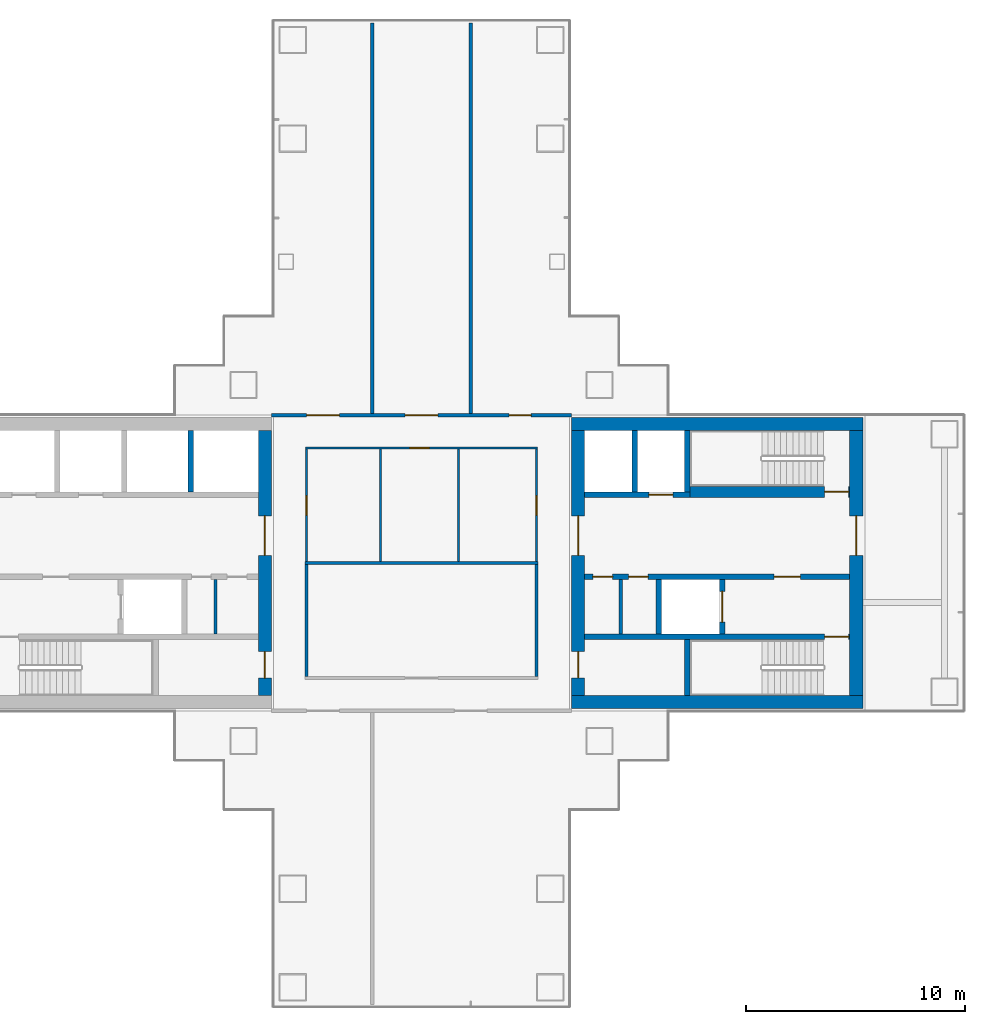
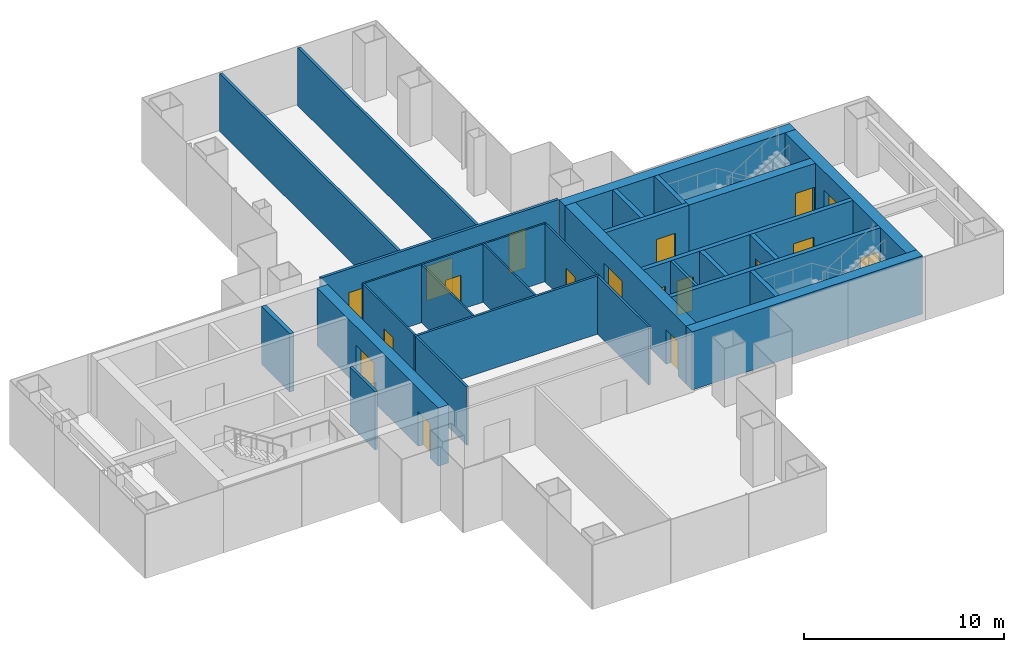
# One storey, part 14 of 18: 28 walls, 18 doors, 18 openings.
"""IFC4 building model written with IfcOpenShell, lengths in metres."""

import ifcopenshell
import ifcopenshell.guid

model = None  # the IFC model being written
_history = None  # IfcOwnerHistory: only IFC2X3 demands one
_inside = {}  # id of a spatial element -> (the spatial element, [elements in it])
_under = {}  # id of a project, library or spatial element -> (it, [spatial elements below it])
_declared = {}  # id of a project -> (the project, [libraries it declares])
_typed = {}  # id of a type object -> (the type object, [elements of that type])
_made_of = {}  # id of a material, layer set ... -> (it, [elements and type objects made of it])


def new_model(schema):
    """Start an empty IFC model of exactly this schema.

    Asked for "IFC4X3", IfcOpenShell would pick the latest addendum, in which some entities
    have other attributes; the version numbers below select the first issue.
    IFC2X3 requires an IfcOwnerHistory on every rooted entity: one is made here for all.
    """
    global model, _history
    if schema == "IFC4X3":
        model = ifcopenshell.file(schema_version=(4, 3, 0, 0))
    else:
        model = ifcopenshell.file(schema=schema)
    _inside.clear()
    _under.clear()
    _declared.clear()
    _typed.clear()
    _made_of.clear()
    _history = None
    if model.schema == "IFC2X3":
        org = make("IfcOrganization", Name="unknown")
        user = make(
            "IfcPersonAndOrganization",
            ThePerson=make("IfcPerson", FamilyName="unknown"),
            TheOrganization=org,
        )
        app = make(
            "IfcApplication",
            ApplicationDeveloper=org,
            Version="unknown",
            ApplicationFullName="unknown",
            ApplicationIdentifier="unknown",
        )
        _history = make(
            "IfcOwnerHistory",
            OwningUser=user,
            OwningApplication=app,
            ChangeAction="ADDED",
            CreationDate=0,
        )
    return model


def make(cls, **values):
    """One entity of the class cls with the attributes given. An attribute that is None is left unset."""
    return model.create_entity(
        cls, **{name: value for name, value in values.items() if value is not None}
    )


def rooted(cls, **values):
    """An entity with a GlobalId (a new one), such as an element, a storey or a relation."""
    return make(cls, GlobalId=ifcopenshell.guid.new(), OwnerHistory=_history, **values)


def si_unit(unit_type, name, prefix=None):
    """IfcSIUnit, for example si_unit("LENGTHUNIT", "METRE", prefix="MILLI")."""
    return make("IfcSIUnit", UnitType=unit_type, Prefix=prefix, Name=name)


def assignment(units):
    """IfcUnitAssignment: the units of a project."""
    return None if units is None else make("IfcUnitAssignment", Units=units)


def point(xyz):
    """IfcCartesianPoint."""
    return None if xyz is None else make("IfcCartesianPoint", Coordinates=xyz)


def direction(xyz):
    """IfcDirection."""
    return None if xyz is None else make("IfcDirection", DirectionRatios=xyz)


def frame(location, z_axis=None, x_axis=None):
    """IfcAxis2Placement3D, a coordinate frame: its origin and axes. An axis left out is left unset."""
    return make(
        "IfcAxis2Placement3D",
        Location=point(location),
        Axis=direction(z_axis),
        RefDirection=direction(x_axis),
    )


def frame_2d(location, x_axis=None):
    """IfcAxis2Placement2D, a coordinate frame in the plane: its origin and x axis."""
    return make(
        "IfcAxis2Placement2D", Location=point(location), RefDirection=direction(x_axis)
    )


def origin():
    """The frame at (0, 0, 0) with its axes left unset."""
    return frame((0.0, 0.0, 0.0))


def place(relative_to, where):
    """IfcLocalPlacement: puts the frame where relative to a parent placement (None: the world)."""
    return make(
        "IfcLocalPlacement", PlacementRelTo=relative_to, RelativePlacement=where
    )


def context(
    kind, dimensions, precision=None, world=None, true_north=None, identifier=None
):
    """IfcGeometricRepresentationContext, for example the 3D "Model" context."""
    return make(
        "IfcGeometricRepresentationContext",
        ContextIdentifier=identifier,
        ContextType=kind,
        CoordinateSpaceDimension=dimensions,
        Precision=precision,
        WorldCoordinateSystem=world,
        TrueNorth=true_north,
    )


def subcontext(parent, identifier, kind, view, scale=None):
    """IfcGeometricRepresentationSubContext, for example "Body" below "Model"."""
    return make(
        "IfcGeometricRepresentationSubContext",
        ContextIdentifier=identifier,
        ContextType=kind,
        ParentContext=parent,
        TargetScale=scale,
        TargetView=view,
    )


def project(units=None, contexts=None):
    """IfcProject with its units and contexts."""
    return rooted(
        "IfcProject",
        Name="project",
        RepresentationContexts=contexts,
        UnitsInContext=assignment(units),
    )


def spatial(cls, under=None, at=None, **own):
    """A site, building, storey or space (cls), placed at a placement, below another one or the project."""
    s = rooted(cls, ObjectPlacement=at, **own)
    if under is not None:
        _under.setdefault(under.id(), (under, []))[1].append(s)
    return s


def profile(cls, at=None, kind="AREA", **sizes):
    """A parametric profile (cls). Its sizes go by their IFC names, for example OverallWidth=200.0."""
    return make(cls, ProfileType=kind, Position=at, **sizes)


def rectangle(**sizes):
    """IfcRectangleProfileDef."""
    return profile("IfcRectangleProfileDef", **sizes)


def extrude(swept, where, along, depth):
    """IfcExtrudedAreaSolid: the profile swept, set in the frame where, extruded along a direction by depth."""
    return make(
        "IfcExtrudedAreaSolid",
        SweptArea=swept,
        Position=where,
        ExtrudedDirection=direction(along),
        Depth=depth,
    )


def shape(context_of_items, identifier, shape_type, items):
    """IfcShapeRepresentation: the items that make up one representation, for example the "Body"."""
    return make(
        "IfcShapeRepresentation",
        ContextOfItems=context_of_items,
        RepresentationIdentifier=identifier,
        RepresentationType=shape_type,
        Items=items,
    )


def material(Name=None, Category=None):
    """IfcMaterial."""
    return make("IfcMaterial", Name=Name, Category=Category)


def layer(
    of_material, thickness, ventilated=None, Name=None, Category=None, Priority=None
):
    """IfcMaterialLayer: one layer of a wall or slab, of a material (None: an air gap)."""
    return make(
        "IfcMaterialLayer",
        Material=of_material,
        LayerThickness=thickness,
        IsVentilated=ventilated,
        Name=Name,
        Category=Category,
        Priority=Priority,
    )


def layer_set(layers, Name=None):
    """IfcMaterialLayerSet."""
    return make("IfcMaterialLayerSet", MaterialLayers=layers, LayerSetName=Name)


def made_of(thing, what):
    """Note that an element or type object is made of a material, layer set ...; save() writes the relation."""
    if what is not None:
        _made_of.setdefault(what.id(), (what, []))[1].append(thing)
    return thing


def type_object(cls, material=None, **own):
    """A type object (cls), such as IfcWallType, which elements share."""
    return made_of(rooted(cls, **own), material)


def element(
    cls,
    number,
    at=None,
    inside=None,
    cuts=None,
    type_object=None,
    material=None,
    context=None,
    identifier="Body",
    shape_type=None,
    held_by="IfcProductDefinitionShape",
    body=None,
    shapes=None,
    **own,
):
    """One element of the class cls, such as IfcWall. Its Tag is "e" and its number.

    at: its placement. inside: the storey or other place that contains it. cuts: it is an
    opening in that element (IfcRelVoidsElement). A single representation is given by context,
    identifier, shape_type and body (its items); several are given by shapes. held_by: the class
    of the entity that holds the representations. save() writes the other relations.
    """
    e = rooted(cls, Tag="e%d" % number, ObjectPlacement=at, **own)
    if body is not None:
        shapes = [shape(context, identifier, shape_type, body)]
    if shapes is not None:
        e.Representation = make(held_by, Representations=shapes)
    if inside is not None:
        _inside.setdefault(inside.id(), (inside, []))[1].append(e)
    if cuts is not None:
        rooted(
            "IfcRelVoidsElement", RelatingBuildingElement=cuts, RelatedOpeningElement=e
        )
    if type_object is not None:
        _typed.setdefault(type_object.id(), (type_object, []))[1].append(e)
    return made_of(e, material)


def fill(opening, filler):
    """IfcRelFillsElement: the door or window that sits in an opening."""
    return rooted(
        "IfcRelFillsElement",
        RelatingOpeningElement=opening,
        RelatedBuildingElement=filler,
    )


def aggregate(whole, parts):
    """IfcRelAggregates: a whole, such as a stair, and the parts it consists of."""
    return rooted("IfcRelAggregates", RelatingObject=whole, RelatedObjects=parts)


def save(model, path):
    """Write the relations noted so far, then the file.

    IfcRelAggregates (storeys below a building ...), IfcRelContainedInSpatialStructure (elements
    in a storey), IfcRelDefinesByType, IfcRelAssociatesMaterial and IfcRelDeclares: one each for
    every whole, place, type object, material and project.
    """
    for whole, parts in _under.values():
        aggregate(whole, parts)
    for where, things in _inside.values():
        rooted(
            "IfcRelContainedInSpatialStructure",
            RelatedElements=things,
            RelatingStructure=where,
        )
    for kind, things in _typed.values():
        rooted("IfcRelDefinesByType", RelatedObjects=things, RelatingType=kind)
    for what, things in _made_of.values():
        rooted("IfcRelAssociatesMaterial", RelatedObjects=things, RelatingMaterial=what)
    for by, libraries in _declared.values():
        rooted("IfcRelDeclares", RelatingContext=by, RelatedDefinitions=libraries)
    model.write(path)


model = new_model("IFC4")

# Units and contexts
model_context = context("Model", 3, precision=1e-05, world=origin(), true_north=direction((0.0, 1.0)))
body_context = subcontext(model_context, "Body", "Model", "MODEL_VIEW")
ifc_project = project(units=[si_unit("LENGTHUNIT", "METRE"), si_unit("AREAUNIT", "SQUARE_METRE"), si_unit("VOLUMEUNIT", "CUBIC_METRE"), si_unit("PLANEANGLEUNIT", "RADIAN"), si_unit("MASSUNIT", "GRAM", prefix="KILO")], contexts=[model_context])

# Site, building, storey
site_placement = place(None, origin())
site = spatial("IfcSite", under=ifc_project, at=site_placement, CompositionType="ELEMENT")
building_placement = place(site_placement, origin())
building = spatial("IfcBuilding", under=site, at=building_placement, Name="Shamsa Quay Exchange Towers", CompositionType="ELEMENT")
storey_placement = place(building_placement, frame((0.0, 0.0, 117.0)))
storey = spatial("IfcBuildingStorey", under=building, at=storey_placement, Name="L27", CompositionType="ELEMENT", Elevation=117.0)

# Wall, openings, doors
ifc_material_1 = material(Name="Concrete C70/85", Category="concrete")
ifc_layer_1 = layer(ifc_material_1, 0.60009765625)
ifc_layer_set_1 = layer_set([ifc_layer_1], Name="CORE WALL 600 C70/85")
wall_type_1 = type_object("IfcWallType", Name="CORE WALL 600 C70/85", PredefinedType="SHEAR", material=ifc_layer_set_1)
wall_1_placement = place(storey_placement, frame((26.60009765625, 6.050048828125, 0.0), z_axis=(0.0, 0.0, 1.0), x_axis=(0.0, -1.0, 0.0)))
wall_1 = element("IfcWall", 1, at=wall_1_placement, inside=storey, type_object=wall_type_1, Name="Core wall T2A-R12-PB", PredefinedType="SHEAR", context=body_context, shape_type="SweptSolid", body=[
    extrude(rectangle(XDim=12.10009765625, YDim=0.60009765625, at=frame_2d((6.050048828125, 0.0))), origin(), (0.0, 0.0, 1.0), 3.550048828125),
])
opening_1_placement = place(wall_1_placement, frame((10.10009765625, 0.0, 0.0)))
opening_1 = element("IfcOpeningElement", 2, at=opening_1_placement, cuts=wall_1, Name="Opening T2A-R12-RD02", PredefinedType="OPENING", context=body_context, shape_type="SweptSolid", body=[
    extrude(rectangle(XDim=1.199951171875, YDim=2.10009765625, at=frame_2d((0.60009765625, 1.050048828125))), frame((0.0, 0.31005859375, 0.0), z_axis=(0.0, -1.0, 0.0), x_axis=(1.0, 0.0, 0.0)), (0.0, 0.0, 1.0), 0.6201171875),
])
opening_2_placement = place(wall_1_placement, frame((3.89990234375, 0.0, 0.0)))
opening_2 = element("IfcOpeningElement", 3, at=opening_2_placement, cuts=wall_1, Name="Opening T2A-R12-LBD03", PredefinedType="OPENING", context=body_context, shape_type="SweptSolid", body=[
    extrude(rectangle(XDim=1.800048828125, YDim=2.39990234375, at=frame_2d((0.89990234375, 1.199951171875))), frame((0.0, 0.31005859375, 0.0), z_axis=(0.0, -1.0, 0.0), x_axis=(1.0, 0.0, 0.0)), (0.0, 0.0, 1.0), 0.6201171875),
])
ifc_material_2 = material(Name="Steel, fire rated", Category="steel")
door_type_1 = type_object("IfcDoorType", Name="LIFT LOBBY DOOR PAIR 1800", OperationType="DOUBLE_DOOR_SINGLE_SWING", PredefinedType="DOOR", material=ifc_material_2)
door_1_placement = place(opening_2_placement, origin())
door_1 = element("IfcDoor", 4, at=door_1_placement, inside=storey, type_object=door_type_1, Name="T2A-R12-LBD03", OperationType="DOUBLE_DOOR_SINGLE_SWING", OverallHeight=2.39990234375, OverallWidth=1.800048828125, PredefinedType="DOOR", context=body_context, shape_type="SweptSolid", body=[
    extrude(rectangle(XDim=1.800048828125, YDim=2.39990234375, at=frame_2d((0.89990234375, 1.199951171875))), frame((0.0, 0.02490234375, 0.0), z_axis=(0.0, -1.0, 0.0), x_axis=(1.0, 0.0, 0.0)), (0.0, 0.0, 1.0), 0.050048828125),
])
fill(opening_2, door_1)
door_type_2 = type_object("IfcDoorType", Name="RISER ACCESS DOOR 1200", OperationType="SINGLE_SWING_LEFT", PredefinedType="DOOR", material=ifc_material_2)
door_2_placement = place(opening_1_placement, origin())
door_2 = element("IfcDoor", 5, at=door_2_placement, inside=storey, type_object=door_type_2, Name="T2A-R12-RD02", OperationType="SINGLE_SWING_RIGHT", OverallHeight=2.10009765625, OverallWidth=1.199951171875, PredefinedType="DOOR", context=body_context, shape_type="SweptSolid", body=[
    extrude(rectangle(XDim=1.199951171875, YDim=2.10009765625, at=frame_2d((0.60009765625, 1.050048828125))), frame((0.0, 0.02490234375, 0.0), z_axis=(0.0, -1.0, 0.0), x_axis=(1.0, 0.0, 0.0)), (0.0, 0.0, 1.0), 0.050048828125),
])
fill(opening_1, door_2)

# Walls
for number, where, z_axis, x_axis, name in (
    (6, (53.89990234375, -6.35009765625, 0.0), (0.0, 0.0, 1.0), (-1.0, 0.0, 0.0), "Core wall T2B-R12-PS"),
    (7, (53.89990234375, 6.35009765625, 0.0), (0.0, 0.0, 1.0), (-1.0, 0.0, 0.0), "Core wall T2B-R12-PN"),
):
    element("IfcWall", number, at=place(storey_placement, frame(where, z_axis=z_axis, x_axis=x_axis)), inside=storey, type_object=wall_type_1, Name=name, PredefinedType="SHEAR", context=body_context, shape_type="SweptSolid", body=[
        extrude(rectangle(XDim=13.2998046875, YDim=0.60009765625, at=frame_2d((6.64990234375, 0.0))), origin(), (0.0, 0.0, 1.0), 3.550048828125),
    ])

# Wall, opening, door
wall_2_placement = place(storey_placement, frame((53.60009765625, -6.050048828125, 0.0), z_axis=(0.0, 0.0, 1.0), x_axis=(0.0, 1.0, 0.0)))
wall_2 = element("IfcWall", 8, at=wall_2_placement, inside=storey, type_object=wall_type_1, Name="Core wall T2B-R12-PF", PredefinedType="SHEAR", context=body_context, shape_type="SweptSolid", body=[
    extrude(rectangle(XDim=12.10009765625, YDim=0.60009765625, at=frame_2d((6.050048828125, 0.0))), origin(), (0.0, 0.0, 1.0), 3.550048828125),
])
opening_3_placement = place(wall_2_placement, frame((6.39990234375, 0.0, 0.0)))
opening_3 = element("IfcOpeningElement", 9, at=opening_3_placement, cuts=wall_2, Name="Opening T2B-R12-LBD01", PredefinedType="OPENING", context=body_context, shape_type="SweptSolid", body=[
    extrude(rectangle(XDim=1.800048828125, YDim=2.39990234375, at=frame_2d((0.89990234375, 1.199951171875))), frame((0.0, 0.31005859375, 0.0), z_axis=(0.0, -1.0, 0.0), x_axis=(1.0, 0.0, 0.0)), (0.0, 0.0, 1.0), 0.6201171875),
])
door_3_placement = place(opening_3_placement, origin())
door_3 = element("IfcDoor", 10, at=door_3_placement, inside=storey, type_object=door_type_1, Name="T2B-R12-LBD01", OperationType="DOUBLE_DOOR_SINGLE_SWING", OverallHeight=2.39990234375, OverallWidth=1.800048828125, PredefinedType="DOOR", context=body_context, shape_type="SweptSolid", body=[
    extrude(rectangle(XDim=1.800048828125, YDim=2.39990234375, at=frame_2d((0.89990234375, 1.199951171875))), frame((0.0, 0.02490234375, 0.0), z_axis=(0.0, -1.0, 0.0), x_axis=(1.0, 0.0, 0.0)), (0.0, 0.0, 1.0), 0.050048828125),
])
fill(opening_3, door_3)

# Wall, openings, doors
wall_3_placement = place(storey_placement, frame((40.89990234375, -6.050048828125, 0.0), z_axis=(0.0, 0.0, 1.0), x_axis=(0.0, 1.0, 0.0)))
wall_3 = element("IfcWall", 11, at=wall_3_placement, inside=storey, type_object=wall_type_1, Name="Core wall T2B-R12-PB", PredefinedType="SHEAR", context=body_context, shape_type="SweptSolid", body=[
    extrude(rectangle(XDim=12.10009765625, YDim=0.60009765625, at=frame_2d((6.050048828125, 0.0))), origin(), (0.0, 0.0, 1.0), 3.550048828125),
])
opening_4_placement = place(wall_3_placement, frame((0.800048828125, 0.0, 0.0)))
opening_4 = element("IfcOpeningElement", 12, at=opening_4_placement, cuts=wall_3, Name="Opening T2B-R12-RD02", PredefinedType="OPENING", context=body_context, shape_type="SweptSolid", body=[
    extrude(rectangle(XDim=1.199951171875, YDim=2.10009765625, at=frame_2d((0.60009765625, 1.050048828125))), frame((0.0, 0.31005859375, 0.0), z_axis=(0.0, -1.0, 0.0), x_axis=(1.0, 0.0, 0.0)), (0.0, 0.0, 1.0), 0.6201171875),
])
opening_5_placement = place(wall_3_placement, frame((6.39990234375, 0.0, 0.0)))
opening_5 = element("IfcOpeningElement", 13, at=opening_5_placement, cuts=wall_3, Name="Opening T2B-R12-LBD03", PredefinedType="OPENING", context=body_context, shape_type="SweptSolid", body=[
    extrude(rectangle(XDim=1.800048828125, YDim=2.39990234375, at=frame_2d((0.89990234375, 1.199951171875))), frame((0.0, 0.31005859375, 0.0), z_axis=(0.0, -1.0, 0.0), x_axis=(1.0, 0.0, 0.0)), (0.0, 0.0, 1.0), 0.6201171875),
])
door_4_placement = place(opening_5_placement, origin())
door_4 = element("IfcDoor", 14, at=door_4_placement, inside=storey, type_object=door_type_1, Name="T2B-R12-LBD03", OperationType="DOUBLE_DOOR_SINGLE_SWING", OverallHeight=2.39990234375, OverallWidth=1.800048828125, PredefinedType="DOOR", context=body_context, shape_type="SweptSolid", body=[
    extrude(rectangle(XDim=1.800048828125, YDim=2.39990234375, at=frame_2d((0.89990234375, 1.199951171875))), frame((0.0, 0.02490234375, 0.0), z_axis=(0.0, -1.0, 0.0), x_axis=(1.0, 0.0, 0.0)), (0.0, 0.0, 1.0), 0.050048828125),
])
fill(opening_5, door_4)
door_5_placement = place(opening_4_placement, origin())
door_5 = element("IfcDoor", 15, at=door_5_placement, inside=storey, type_object=door_type_2, Name="T2B-R12-RD02", OperationType="SINGLE_SWING_LEFT", OverallHeight=2.10009765625, OverallWidth=1.199951171875, PredefinedType="DOOR", context=body_context, shape_type="SweptSolid", body=[
    extrude(rectangle(XDim=1.199951171875, YDim=2.10009765625, at=frame_2d((0.60009765625, 1.050048828125))), frame((0.0, 0.02490234375, 0.0), z_axis=(0.0, -1.0, 0.0), x_axis=(1.0, 0.0, 0.0)), (0.0, 0.0, 1.0), 0.050048828125),
])
fill(opening_4, door_5)

# Walls
ifc_material_3 = material(Name="Gypsum board on steel studs, EI 60", Category="steel")
ifc_layer_2 = layer(ifc_material_3, 0.14990234375)
ifc_layer_set_2 = layer_set([ifc_layer_2], Name="FIRE PARTITION 150")
wall_type_2 = type_object("IfcWallType", Name="FIRE PARTITION 150", PredefinedType="PARTITIONING", material=ifc_layer_set_2)
for number, where, z_axis, x_axis, name in (
    (16, (24.35009765625, -3.25, 0.0), (0.0, 0.0, 1.0), (0.0, 1.0, 0.0), "Partition T2A-R12-EC0"),
    (17, (42.85009765625, -3.25, 0.0), (0.0, 0.0, 1.0), (0.0, 1.0, 0.0), "Partition T2B-R12-EC0"),
):
    element("IfcWall", number, at=place(storey_placement, frame(where, z_axis=z_axis, x_axis=x_axis)), inside=storey, type_object=wall_type_2, Name=name, PredefinedType="PARTITIONING", context=body_context, shape_type="SweptSolid", body=[
        extrude(rectangle(XDim=2.5, YDim=0.14990234375, at=frame_2d((1.25, 0.0))), origin(), (0.0, 0.0, 1.0), 3.550048828125),
    ])
ifc_material_4 = material(Name="Laminated fire-resisting glass in a metal frame", Category="glass")
ifc_layer_3 = layer(ifc_material_4, 0.125)
ifc_layer_set_3 = layer_set([ifc_layer_3], Name="Glazed partition 125 mm EI 60")
wall_type_3 = type_object("IfcWallType", Name="Glazed partition 125 mm EI 60", PredefinedType="PARTITIONING", material=ifc_layer_set_3)
for number, where, z_axis, x_axis, name in (
    (18, (39.0, -5.1875, 0.0), (0.0, 0.0, 1.0), (0.0, 1.0, 0.0), "Partition T2-R12-W01"),
    (19, (28.5, -0.0625, 0.0), (0.0, 0.0, 1.0), (0.0, -1.0, 0.0), "Partition T2-R12-W03"),
):
    element("IfcWall", number, at=place(storey_placement, frame(where, z_axis=z_axis, x_axis=x_axis)), inside=storey, type_object=wall_type_3, Name=name, PredefinedType="PARTITIONING", context=body_context, shape_type="SweptSolid", body=[
        extrude(rectangle(XDim=5.125, YDim=0.125, at=frame_2d((2.5625, 0.0))), origin(), (0.0, 0.0, 1.0), 3.550048828125),
    ])
wall_4_placement = place(storey_placement, frame((39.0625, 0.0, 0.0), z_axis=(0.0, 0.0, 1.0), x_axis=(-1.0, 0.0, 0.0)))
element("IfcWall", 20, at=wall_4_placement, inside=storey, type_object=wall_type_3, Name="Partition T2-R12-W09", PredefinedType="PARTITIONING", context=body_context, shape_type="SweptSolid", body=[
    extrude(rectangle(XDim=10.625, YDim=0.125, at=frame_2d((5.3125, 0.0))), origin(), (0.0, 0.0, 1.0), 3.550048828125),
])

# Wall, opening, door
ifc_material_5 = material(Name="Gypsum board partition on metal studs")
ifc_layer_4 = layer(ifc_material_5, 0.10009765625)
ifc_layer_set_4 = layer_set([ifc_layer_4], Name="Partition 100 mm NOT RATED")
wall_type_4 = type_object("IfcWallType", Name="Partition 100 mm NOT RATED", PredefinedType="PARTITIONING", material=ifc_layer_set_4)
wall_5_placement = place(storey_placement, frame((39.0, 0.0625, 0.0), z_axis=(0.0, 0.0, 1.0), x_axis=(0.0, 1.0, 0.0)))
wall_5 = element("IfcWall", 21, at=wall_5_placement, inside=storey, type_object=wall_type_4, Name="Partition T2-R12-W04", PredefinedType="PARTITIONING", context=body_context, shape_type="SweptSolid", body=[
    extrude(rectangle(XDim=5.137451171875, YDim=0.10009765625, at=frame_2d((2.56884765625, 0.0))), origin(), (0.0, 0.0, 1.0), 3.550048828125),
])
opening_6_placement = place(wall_5_placement, frame((2.112548828125, 0.0, 0.0)))
opening_6 = element("IfcOpeningElement", 22, at=opening_6_placement, cuts=wall_5, Name="Opening T2-R12-D05", PredefinedType="OPENING", context=body_context, shape_type="SweptSolid", body=[
    extrude(rectangle(XDim=0.89990234375, YDim=2.10009765625, at=frame_2d((0.449951171875, 1.050048828125))), frame((0.0, 0.06005859375, 0.0), z_axis=(0.0, -1.0, 0.0), x_axis=(1.0, 0.0, 0.0)), (0.0, 0.0, 1.0), 0.1201171875),
])
ifc_material_6 = material(Name="Timber door leaf in a metal frame", Category="wood")
door_type_3 = type_object("IfcDoorType", Name="Door 900x2100 NOT RATED", OperationType="NOTDEFINED", PredefinedType="DOOR", material=ifc_material_6)
door_6_placement = place(opening_6_placement, origin())
door_6 = element("IfcDoor", 23, at=door_6_placement, inside=storey, type_object=door_type_3, Name="Door T2-R12-D05", OperationType="SINGLE_SWING_RIGHT", OverallHeight=2.10009765625, OverallWidth=0.89990234375, PredefinedType="DOOR", context=body_context, shape_type="SweptSolid", body=[
    extrude(rectangle(XDim=0.89990234375, YDim=2.10009765625, at=frame_2d((0.449951171875, 1.050048828125))), frame((0.0, 0.02490234375, 0.0), z_axis=(0.0, -1.0, 0.0), x_axis=(1.0, 0.0, 0.0)), (0.0, 0.0, 1.0), 0.050048828125),
])
fill(opening_6, door_6)

wall_6_placement = place(storey_placement, frame((39.050048828125, 5.25, 0.0), z_axis=(0.0, 0.0, 1.0), x_axis=(-1.0, 0.0, 0.0)))
wall_6 = element("IfcWall", 24, at=wall_6_placement, inside=storey, type_object=wall_type_4, Name="Partition T2-R12-W05", PredefinedType="PARTITIONING", context=body_context, shape_type="SweptSolid", body=[
    extrude(rectangle(XDim=10.60009765625, YDim=0.10009765625, at=frame_2d((5.300048828125, 0.0))), origin(), (0.0, 0.0, 1.0), 3.550048828125),
])
opening_7_placement = place(wall_6_placement, frame((4.943603515625, 0.0, 0.0)))
opening_7 = element("IfcOpeningElement", 25, at=opening_7_placement, cuts=wall_6, Name="Opening T2-R12-D07", PredefinedType="OPENING", context=body_context, shape_type="SweptSolid", body=[
    extrude(rectangle(XDim=0.89990234375, YDim=2.10009765625, at=frame_2d((0.449951171875, 1.050048828125))), frame((0.0, 0.06005859375, 0.0), z_axis=(0.0, -1.0, 0.0), x_axis=(1.0, 0.0, 0.0)), (0.0, 0.0, 1.0), 0.1201171875),
])
door_7_placement = place(opening_7_placement, origin())
door_7 = element("IfcDoor", 26, at=door_7_placement, inside=storey, type_object=door_type_3, Name="Door T2-R12-D07", OperationType="SINGLE_SWING_RIGHT", OverallHeight=2.10009765625, OverallWidth=0.89990234375, PredefinedType="DOOR", context=body_context, shape_type="SweptSolid", body=[
    extrude(rectangle(XDim=0.89990234375, YDim=2.10009765625, at=frame_2d((0.449951171875, 1.050048828125))), frame((0.0, 0.02490234375, 0.0), z_axis=(0.0, -1.0, 0.0), x_axis=(1.0, 0.0, 0.0)), (0.0, 0.0, 1.0), 0.050048828125),
])
fill(opening_7, door_7)

wall_7_placement = place(storey_placement, frame((28.5, 5.199951171875, 0.0), z_axis=(0.0, 0.0, 1.0), x_axis=(0.0, -1.0, 0.0)))
wall_7 = element("IfcWall", 27, at=wall_7_placement, inside=storey, type_object=wall_type_4, Name="Partition T2-R12-W06", PredefinedType="PARTITIONING", context=body_context, shape_type="SweptSolid", body=[
    extrude(rectangle(XDim=5.137451171875, YDim=0.10009765625, at=frame_2d((2.56884765625, 0.0))), origin(), (0.0, 0.0, 1.0), 3.550048828125),
])
opening_8_placement = place(wall_7_placement, frame((2.125, 0.0, 0.0)))
opening_8 = element("IfcOpeningElement", 28, at=opening_8_placement, cuts=wall_7, Name="Opening T2-R12-D06", PredefinedType="OPENING", context=body_context, shape_type="SweptSolid", body=[
    extrude(rectangle(XDim=0.89990234375, YDim=2.10009765625, at=frame_2d((0.449951171875, 1.050048828125))), frame((0.0, 0.06005859375, 0.0), z_axis=(0.0, -1.0, 0.0), x_axis=(1.0, 0.0, 0.0)), (0.0, 0.0, 1.0), 0.1201171875),
])
door_8_placement = place(opening_8_placement, origin())
door_8 = element("IfcDoor", 29, at=door_8_placement, inside=storey, type_object=door_type_3, Name="Door T2-R12-D06", OperationType="SINGLE_SWING_LEFT", OverallHeight=2.10009765625, OverallWidth=0.89990234375, PredefinedType="DOOR", context=body_context, shape_type="SweptSolid", body=[
    extrude(rectangle(XDim=0.89990234375, YDim=2.10009765625, at=frame_2d((0.449951171875, 1.050048828125))), frame((0.0, 0.02490234375, 0.0), z_axis=(0.0, -1.0, 0.0), x_axis=(1.0, 0.0, 0.0)), (0.0, 0.0, 1.0), 0.050048828125),
])
fill(opening_8, door_8)

# Walls
for number, where, z_axis, x_axis, name in (
    (30, (35.4375, 5.199951171875, 0.0), (0.0, 0.0, 1.0), (0.0, -1.0, 0.0), "Partition T2-R12-W10"),
    (31, (31.875, 5.199951171875, 0.0), (0.0, 0.0, 1.0), (0.0, -1.0, 0.0), "Partition T2-R12-W11"),
):
    element("IfcWall", number, at=place(storey_placement, frame(where, z_axis=z_axis, x_axis=x_axis)), inside=storey, type_object=wall_type_4, Name=name, PredefinedType="PARTITIONING", context=body_context, shape_type="SweptSolid", body=[
        extrude(rectangle(XDim=5.137451171875, YDim=0.10009765625, at=frame_2d((2.56884765625, 0.0))), origin(), (0.0, 0.0, 1.0), 3.550048828125),
    ])

# Wall, openings, doors
ifc_layer_5 = layer(ifc_material_5, 0.14990234375)
ifc_layer_set_5 = layer_set([ifc_layer_5], Name="Partition 150 mm EI 60")
wall_type_5 = type_object("IfcWallType", Name="Partition 150 mm EI 60", PredefinedType="PARTITIONING", material=ifc_layer_set_5)
wall_8_placement = place(storey_placement, frame((26.89990234375, 6.75, 0.0)))
wall_8 = element("IfcWall", 32, at=wall_8_placement, inside=storey, type_object=wall_type_5, Name="Partition T2-R12-W07", PredefinedType="PARTITIONING", context=body_context, shape_type="SweptSolid", body=[
    extrude(rectangle(XDim=13.7001953125, YDim=0.14990234375, at=frame_2d((6.85009765625, 0.0))), origin(), (0.0, 0.0, 1.0), 3.550048828125),
])
opening_9_placement = place(wall_8_placement, frame((10.85009765625, 0.0, 0.0)))
opening_9 = element("IfcOpeningElement", 33, at=opening_9_placement, cuts=wall_8, Name="Opening T2-R12-D01", PredefinedType="OPENING", context=body_context, shape_type="SweptSolid", body=[
    extrude(rectangle(XDim=1.0, YDim=2.39990234375, at=frame_2d((0.5, 1.199951171875))), frame((0.0, 0.0849609375, 0.0), z_axis=(0.0, -1.0, 0.0), x_axis=(1.0, 0.0, 0.0)), (0.0, 0.0, 1.0), 0.169921875),
])
opening_10_placement = place(wall_8_placement, frame((6.10009765625, 0.0, 0.0)))
opening_10 = element("IfcOpeningElement", 34, at=opening_10_placement, cuts=wall_8, Name="Opening T2-R12-D02", PredefinedType="OPENING", context=body_context, shape_type="SweptSolid", body=[
    extrude(rectangle(XDim=1.5, YDim=2.10009765625, at=frame_2d((0.75, 1.050048828125))), frame((0.0, 0.0849609375, 0.0), z_axis=(0.0, -1.0, 0.0), x_axis=(1.0, 0.0, 0.0)), (0.0, 0.0, 1.0), 0.169921875),
])
opening_11_placement = place(wall_8_placement, frame((1.60009765625, 0.0, 0.0)))
opening_11 = element("IfcOpeningElement", 35, at=opening_11_placement, cuts=wall_8, Name="Opening T2-R12-D03", PredefinedType="OPENING", context=body_context, shape_type="SweptSolid", body=[
    extrude(rectangle(XDim=1.5, YDim=2.10009765625, at=frame_2d((0.75, 1.050048828125))), frame((0.0, 0.0849609375, 0.0), z_axis=(0.0, -1.0, 0.0), x_axis=(1.0, 0.0, 0.0)), (0.0, 0.0, 1.0), 0.169921875),
])
door_type_4 = type_object("IfcDoorType", Name="Door 1000x2400 FD30S", OperationType="NOTDEFINED", PredefinedType="DOOR", material=ifc_material_6)
door_9_placement = place(opening_9_placement, origin())
door_9 = element("IfcDoor", 36, at=door_9_placement, inside=storey, type_object=door_type_4, Name="Door T2-R12-D01", OperationType="SINGLE_SWING_RIGHT", OverallHeight=2.39990234375, OverallWidth=1.0, PredefinedType="DOOR", context=body_context, shape_type="SweptSolid", body=[
    extrude(rectangle(XDim=1.0, YDim=2.39990234375, at=frame_2d((0.5, 1.199951171875))), frame((0.0, 0.02490234375, 0.0), z_axis=(0.0, -1.0, 0.0), x_axis=(1.0, 0.0, 0.0)), (0.0, 0.0, 1.0), 0.050048828125),
])
fill(opening_9, door_9)
door_type_5 = type_object("IfcDoorType", Name="Door 1500x2100 FD30S pair", OperationType="NOTDEFINED", PredefinedType="DOOR", material=ifc_material_6)
door_10_placement = place(opening_10_placement, origin())
door_10 = element("IfcDoor", 37, at=door_10_placement, inside=storey, type_object=door_type_5, Name="Door T2-R12-D02", OperationType="DOUBLE_DOOR_SINGLE_SWING", OverallHeight=2.10009765625, OverallWidth=1.5, PredefinedType="DOOR", context=body_context, shape_type="SweptSolid", body=[
    extrude(rectangle(XDim=1.5, YDim=2.10009765625, at=frame_2d((0.75, 1.050048828125))), frame((0.0, 0.02490234375, 0.0), z_axis=(0.0, -1.0, 0.0), x_axis=(1.0, 0.0, 0.0)), (0.0, 0.0, 1.0), 0.050048828125),
])
fill(opening_10, door_10)
door_11_placement = place(opening_11_placement, origin())
door_11 = element("IfcDoor", 38, at=door_11_placement, inside=storey, type_object=door_type_5, Name="Door T2-R12-D03", OperationType="DOUBLE_DOOR_SINGLE_SWING", OverallHeight=2.10009765625, OverallWidth=1.5, PredefinedType="DOOR", context=body_context, shape_type="SweptSolid", body=[
    extrude(rectangle(XDim=1.5, YDim=2.10009765625, at=frame_2d((0.75, 1.050048828125))), frame((0.0, 0.02490234375, 0.0), z_axis=(0.0, -1.0, 0.0), x_axis=(1.0, 0.0, 0.0)), (0.0, 0.0, 1.0), 0.050048828125),
])
fill(opening_11, door_11)

# Walls
for number, where, z_axis, x_axis, name in (
    (39, (36.0, 24.655029296875, 0.0), (0.0, 0.0, 1.0), (0.0, -1.0, 0.0), "Partition T2-R12-W12"),
    (40, (31.5, 24.655029296875, 0.0), (0.0, 0.0, 1.0), (0.0, -1.0, 0.0), "Partition T2-R12-W14"),
):
    element("IfcWall", number, at=place(storey_placement, frame(where, z_axis=z_axis, x_axis=x_axis)), inside=storey, type_object=wall_type_5, Name=name, PredefinedType="PARTITIONING", context=body_context, shape_type="SweptSolid", body=[
        extrude(rectangle(XDim=17.830078125, YDim=0.14990234375, at=frame_2d((8.9150390625, 0.0))), origin(), (0.0, 0.0, 1.0), 3.550048828125),
    ])
ifc_material_7 = material(Name="Concrete C50/60", Category="concrete")
ifc_layer_6 = layer(ifc_material_7, 0.25)
ifc_layer_set_6 = layer_set([ifc_layer_6], Name="SHAFT WALL 250 C50/60")
wall_type_6 = type_object("IfcWallType", Name="SHAFT WALL 250 C50/60", PredefinedType="SHEAR", material=ifc_layer_set_6)
wall_9_placement = place(storey_placement, frame((23.22509765625, 3.25, 0.0), z_axis=(0.0, 0.0, 1.0), x_axis=(0.0, 1.0, 0.0)))
element("IfcWall", 41, at=wall_9_placement, inside=storey, type_object=wall_type_6, Name="Shaft wall T2A-R12-D2", PredefinedType="SHEAR", context=body_context, shape_type="SweptSolid", body=[
    extrude(rectangle(XDim=2.800048828125, YDim=0.25, at=frame_2d((1.39990234375, 0.0))), origin(), (0.0, 0.0, 1.0), 3.550048828125),
])

# Wall, opening, door
wall_10_placement = place(storey_placement, frame((53.300048828125, -3.375, 0.0), z_axis=(0.0, 0.0, 1.0), x_axis=(-1.0, 0.0, 0.0)))
wall_10 = element("IfcWall", 42, at=wall_10_placement, inside=storey, type_object=wall_type_6, Name="Shaft wall T2B-R12-STL", PredefinedType="SHEAR", context=body_context, shape_type="SweptSolid", body=[
    extrude(rectangle(XDim=12.10009765625, YDim=0.25, at=frame_2d((6.050048828125, 0.0))), origin(), (0.0, 0.0, 1.0), 3.550048828125),
])
opening_12_placement = place(wall_10_placement, frame((0.050048828125, 0.0, 0.0)))
opening_12 = element("IfcOpeningElement", 43, at=opening_12_placement, cuts=wall_10, Name="Opening T2B-R12-SD04", PredefinedType="OPENING", context=body_context, shape_type="SweptSolid", body=[
    extrude(rectangle(XDim=1.10009765625, YDim=2.10009765625, at=frame_2d((0.550048828125, 1.050048828125))), frame((0.0, 0.135009765625, 0.0), z_axis=(0.0, -1.0, 0.0), x_axis=(1.0, 0.0, 0.0)), (0.0, 0.0, 1.0), 0.27001953125),
])
door_type_6 = type_object("IfcDoorType", Name="STAIR DOOR 1100", OperationType="SINGLE_SWING_LEFT", PredefinedType="DOOR", material=ifc_material_2)
door_12_placement = place(opening_12_placement, origin())
door_12 = element("IfcDoor", 44, at=door_12_placement, inside=storey, type_object=door_type_6, Name="T2B-R12-SD04", OperationType="SINGLE_SWING_LEFT", OverallHeight=2.10009765625, OverallWidth=1.10009765625, PredefinedType="DOOR", context=body_context, shape_type="SweptSolid", body=[
    extrude(rectangle(XDim=1.10009765625, YDim=2.10009765625, at=frame_2d((0.550048828125, 1.050048828125))), frame((0.0, 0.02490234375, 0.0), z_axis=(0.0, -1.0, 0.0), x_axis=(1.0, 0.0, 0.0)), (0.0, 0.0, 1.0), 0.050048828125),
])
fill(opening_12, door_12)

# Wall
wall_11_placement = place(storey_placement, frame((45.875, -6.050048828125, 0.0), z_axis=(0.0, 0.0, 1.0), x_axis=(0.0, 1.0, 0.0)))
element("IfcWall", 45, at=wall_11_placement, inside=storey, type_object=wall_type_6, Name="Shaft wall T2B-R12-STF", PredefinedType="SHEAR", context=body_context, shape_type="SweptSolid", body=[
    extrude(rectangle(XDim=2.550048828125, YDim=0.25, at=frame_2d((1.27490234375, 0.0))), origin(), (0.0, 0.0, 1.0), 3.550048828125),
])

# Wall, openings, doors
wall_12_placement = place(storey_placement, frame((53.300048828125, -0.625, 0.0), z_axis=(0.0, 0.0, 1.0), x_axis=(-1.0, 0.0, 0.0)))
wall_12 = element("IfcWall", 46, at=wall_12_placement, inside=storey, type_object=wall_type_6, Name="Shaft wall T2B-R12-B", PredefinedType="SHEAR", context=body_context, shape_type="SweptSolid", body=[
    extrude(rectangle(XDim=12.10009765625, YDim=0.25, at=frame_2d((6.050048828125, 0.0))), origin(), (0.0, 0.0, 1.0), 3.550048828125),
])
opening_13_placement = place(wall_12_placement, frame((2.25, 0.0, 0.0)))
opening_13 = element("IfcOpeningElement", 47, at=opening_13_placement, cuts=wall_12, Name="Opening T2B-R12-FD05", PredefinedType="OPENING", context=body_context, shape_type="SweptSolid", body=[
    extrude(rectangle(XDim=1.199951171875, YDim=2.10009765625, at=frame_2d((0.60009765625, 1.050048828125))), frame((0.0, 0.135009765625, 0.0), z_axis=(0.0, -1.0, 0.0), x_axis=(1.0, 0.0, 0.0)), (0.0, 0.0, 1.0), 0.27001953125),
])
opening_14_placement = place(wall_12_placement, frame((9.199951171875, 0.0, 0.0)))
opening_14 = element("IfcOpeningElement", 48, at=opening_14_placement, cuts=wall_12, Name="Opening T2B-R12-SV06", PredefinedType="OPENING", context=body_context, shape_type="SweptSolid", body=[
    extrude(rectangle(XDim=0.89990234375, YDim=2.10009765625, at=frame_2d((0.449951171875, 1.050048828125))), frame((0.0, 0.135009765625, 0.0), z_axis=(0.0, -1.0, 0.0), x_axis=(1.0, 0.0, 0.0)), (0.0, 0.0, 1.0), 0.27001953125),
])
opening_15_placement = place(wall_12_placement, frame((10.824951171875, 0.0, 0.0)))
opening_15 = element("IfcOpeningElement", 49, at=opening_15_placement, cuts=wall_12, Name="Opening T2B-R12-SV07", PredefinedType="OPENING", context=body_context, shape_type="SweptSolid", body=[
    extrude(rectangle(XDim=0.89990234375, YDim=2.10009765625, at=frame_2d((0.449951171875, 1.050048828125))), frame((0.0, 0.135009765625, 0.0), z_axis=(0.0, -1.0, 0.0), x_axis=(1.0, 0.0, 0.0)), (0.0, 0.0, 1.0), 0.27001953125),
])
door_type_7 = type_object("IfcDoorType", Name="FIRE SERVICE LOBBY DOOR 1200", OperationType="SINGLE_SWING_LEFT", PredefinedType="DOOR", material=ifc_material_2)
door_13_placement = place(opening_13_placement, origin())
door_13 = element("IfcDoor", 50, at=door_13_placement, inside=storey, type_object=door_type_7, Name="T2B-R12-FD05", OperationType="SINGLE_SWING_LEFT", OverallHeight=2.10009765625, OverallWidth=1.199951171875, PredefinedType="DOOR", context=body_context, shape_type="SweptSolid", body=[
    extrude(rectangle(XDim=1.199951171875, YDim=2.10009765625, at=frame_2d((0.60009765625, 1.050048828125))), frame((0.0, 0.02490234375, 0.0), z_axis=(0.0, -1.0, 0.0), x_axis=(1.0, 0.0, 0.0)), (0.0, 0.0, 1.0), 0.050048828125),
])
fill(opening_13, door_13)
door_type_8 = type_object("IfcDoorType", Name="SERVICE ROOM DOOR 900", OperationType="SINGLE_SWING_LEFT", PredefinedType="DOOR", material=ifc_material_2)
door_14_placement = place(opening_14_placement, origin())
door_14 = element("IfcDoor", 51, at=door_14_placement, inside=storey, type_object=door_type_8, Name="T2B-R12-SV06", OperationType="SINGLE_SWING_RIGHT", OverallHeight=2.10009765625, OverallWidth=0.89990234375, PredefinedType="DOOR", context=body_context, shape_type="SweptSolid", body=[
    extrude(rectangle(XDim=0.89990234375, YDim=2.10009765625, at=frame_2d((0.449951171875, 1.050048828125))), frame((0.0, 0.02490234375, 0.0), z_axis=(0.0, -1.0, 0.0), x_axis=(1.0, 0.0, 0.0)), (0.0, 0.0, 1.0), 0.050048828125),
])
fill(opening_14, door_14)
door_15_placement = place(opening_15_placement, origin())
door_15 = element("IfcDoor", 52, at=door_15_placement, inside=storey, type_object=door_type_8, Name="T2B-R12-SV07", OperationType="SINGLE_SWING_RIGHT", OverallHeight=2.10009765625, OverallWidth=0.89990234375, PredefinedType="DOOR", context=body_context, shape_type="SweptSolid", body=[
    extrude(rectangle(XDim=0.89990234375, YDim=2.10009765625, at=frame_2d((0.449951171875, 1.050048828125))), frame((0.0, 0.02490234375, 0.0), z_axis=(0.0, -1.0, 0.0), x_axis=(1.0, 0.0, 0.0)), (0.0, 0.0, 1.0), 0.050048828125),
])
fill(opening_15, door_15)

# Wall, opening, door
wall_13_placement = place(storey_placement, frame((47.47509765625, -3.25, 0.0), z_axis=(0.0, 0.0, 1.0), x_axis=(0.0, 1.0, 0.0)))
wall_13 = element("IfcWall", 53, at=wall_13_placement, inside=storey, type_object=wall_type_6, Name="Shaft wall T2B-R12-FFF", PredefinedType="SHEAR", context=body_context, shape_type="SweptSolid", body=[
    extrude(rectangle(XDim=2.5, YDim=0.25, at=frame_2d((1.25, 0.0))), origin(), (0.0, 0.0, 1.0), 3.550048828125),
])
opening_16_placement = place(wall_13_placement, frame((0.550048828125, 0.0, 0.0)))
opening_16 = element("IfcOpeningElement", 54, at=opening_16_placement, cuts=wall_13, Name="Opening T2B-R12-LDG08", PredefinedType="OPENING", context=body_context, shape_type="SweptSolid", body=[
    extrude(rectangle(XDim=1.39990234375, YDim=2.39990234375, at=frame_2d((0.699951171875, 1.199951171875))), frame((0.0, 0.135009765625, 0.0), z_axis=(0.0, -1.0, 0.0), x_axis=(1.0, 0.0, 0.0)), (0.0, 0.0, 1.0), 0.27001953125),
])
door_type_9 = type_object("IfcDoorType", Name="GOODS LIFT LANDING DOOR 1400", OperationType="SLIDING_TO_LEFT", PredefinedType="DOOR", material=ifc_material_2)
door_16_placement = place(opening_16_placement, origin())
door_16 = element("IfcDoor", 55, at=door_16_placement, inside=storey, type_object=door_type_9, Name="T2B-R12-LDG08", OperationType="SLIDING_TO_LEFT", OverallHeight=2.39990234375, OverallWidth=1.39990234375, PredefinedType="DOOR", context=body_context, shape_type="SweptSolid", body=[
    extrude(rectangle(XDim=1.39990234375, YDim=2.39990234375, at=frame_2d((0.699951171875, 1.199951171875))), frame((0.0, 0.02490234375, 0.0), z_axis=(0.0, -1.0, 0.0), x_axis=(1.0, 0.0, 0.0)), (0.0, 0.0, 1.0), 0.050048828125),
])
fill(opening_16, door_16)

# Wall
wall_14_placement = place(storey_placement, frame((44.574951171875, -3.25, 0.0), z_axis=(0.0, 0.0, 1.0), x_axis=(0.0, 1.0, 0.0)))
element("IfcWall", 56, at=wall_14_placement, inside=storey, type_object=wall_type_6, Name="Shaft wall T2B-R12-FFB", PredefinedType="SHEAR", context=body_context, shape_type="SweptSolid", body=[
    extrude(rectangle(XDim=2.5, YDim=0.25, at=frame_2d((1.25, 0.0))), origin(), (0.0, 0.0, 1.0), 3.550048828125),
])

# Wall, opening, door
wall_15_placement = place(storey_placement, frame((46.0, 3.125, 0.0), z_axis=(0.0, 0.0, 1.0), x_axis=(-1.0, 0.0, 0.0)))
wall_15 = element("IfcWall", 57, at=wall_15_placement, inside=storey, type_object=wall_type_6, Name="Shaft wall T2B-R12-N2", PredefinedType="SHEAR", context=body_context, shape_type="SweptSolid", body=[
    extrude(rectangle(XDim=4.800048828125, YDim=0.25, at=frame_2d((2.39990234375, 0.0))), origin(), (0.0, 0.0, 1.0), 3.550048828125),
])
opening_17_placement = place(wall_15_placement, frame((0.77490234375, 0.0, 0.0)))
opening_17 = element("IfcOpeningElement", 58, at=opening_17_placement, cuts=wall_15, Name="Opening T2B-R12-LD10", PredefinedType="OPENING", context=body_context, shape_type="SweptSolid", body=[
    extrude(rectangle(XDim=1.10009765625, YDim=2.10009765625, at=frame_2d((0.550048828125, 1.050048828125))), frame((0.0, 0.135009765625, 0.0), z_axis=(0.0, -1.0, 0.0), x_axis=(1.0, 0.0, 0.0)), (0.0, 0.0, 1.0), 0.27001953125),
])
door_type_10 = type_object("IfcDoorType", Name="LANDING DOOR 1100", OperationType="SLIDING_TO_LEFT", PredefinedType="DOOR", material=ifc_material_2)
door_17_placement = place(opening_17_placement, origin())
door_17 = element("IfcDoor", 59, at=door_17_placement, inside=storey, type_object=door_type_10, Name="T2B-R12-LD10", OperationType="SLIDING_TO_LEFT", OverallHeight=2.10009765625, OverallWidth=1.10009765625, PredefinedType="DOOR", context=body_context, shape_type="SweptSolid", body=[
    extrude(rectangle(XDim=1.10009765625, YDim=2.10009765625, at=frame_2d((0.550048828125, 1.050048828125))), frame((0.0, 0.02490234375, 0.0), z_axis=(0.0, -1.0, 0.0), x_axis=(1.0, 0.0, 0.0)), (0.0, 0.0, 1.0), 0.050048828125),
])
fill(opening_17, door_17)

# Walls
for number, where, z_axis, x_axis, name in (
    (60, (45.875, 3.25, 0.0), (0.0, 0.0, 1.0), (0.0, 1.0, 0.0), "Shaft wall T2B-R12-STF2"),
    (61, (43.47509765625, 3.25, 0.0), (0.0, 0.0, 1.0), (0.0, 1.0, 0.0), "Shaft wall T2B-R12-D0"),
):
    element("IfcWall", number, at=place(storey_placement, frame(where, z_axis=z_axis, x_axis=x_axis)), inside=storey, type_object=wall_type_6, Name=name, PredefinedType="SHEAR", context=body_context, shape_type="SweptSolid", body=[
        extrude(rectangle(XDim=2.800048828125, YDim=0.25, at=frame_2d((1.39990234375, 0.0))), origin(), (0.0, 0.0, 1.0), 3.550048828125),
    ])

# Wall, opening, door
ifc_layer_7 = layer(ifc_material_7, 0.5)
ifc_layer_set_7 = layer_set([ifc_layer_7], Name="SHAFT WALL 500 C50/60")
wall_type_7 = type_object("IfcWallType", Name="SHAFT WALL 500 C50/60", PredefinedType="SHEAR", material=ifc_layer_set_7)
wall_16_placement = place(storey_placement, frame((46.0, 3.25, 0.0)))
wall_16 = element("IfcWall", 62, at=wall_16_placement, inside=storey, type_object=wall_type_7, Name="Shaft wall T2B-R12-N", PredefinedType="SHEAR", context=body_context, shape_type="SweptSolid", body=[
    extrude(rectangle(XDim=7.300048828125, YDim=0.5, at=frame_2d((3.64990234375, 0.0))), origin(), (0.0, 0.0, 1.0), 3.550048828125),
])
opening_18_placement = place(wall_16_placement, frame((6.14990234375, 0.0, 0.0)))
opening_18 = element("IfcOpeningElement", 63, at=opening_18_placement, cuts=wall_16, Name="Opening T2B-R12-SD09", PredefinedType="OPENING", context=body_context, shape_type="SweptSolid", body=[
    extrude(rectangle(XDim=1.10009765625, YDim=2.10009765625, at=frame_2d((0.550048828125, 1.050048828125))), frame((0.0, 0.260009765625, 0.0), z_axis=(0.0, -1.0, 0.0), x_axis=(1.0, 0.0, 0.0)), (0.0, 0.0, 1.0), 0.52001953125),
])
door_18_placement = place(opening_18_placement, origin())
door_18 = element("IfcDoor", 64, at=door_18_placement, inside=storey, type_object=door_type_6, Name="T2B-R12-SD09", OperationType="SINGLE_SWING_RIGHT", OverallHeight=2.10009765625, OverallWidth=1.10009765625, PredefinedType="DOOR", context=body_context, shape_type="SweptSolid", body=[
    extrude(rectangle(XDim=1.10009765625, YDim=2.10009765625, at=frame_2d((0.550048828125, 1.050048828125))), frame((0.0, 0.02490234375, 0.0), z_axis=(0.0, -1.0, 0.0), x_axis=(1.0, 0.0, 0.0)), (0.0, 0.0, 1.0), 0.050048828125),
])
fill(opening_18, door_18)

save(model, "model.ifc")
